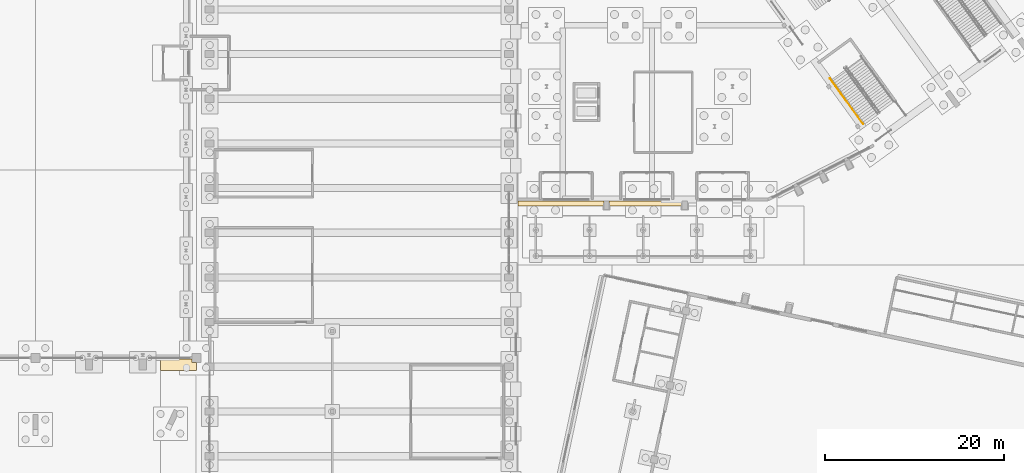
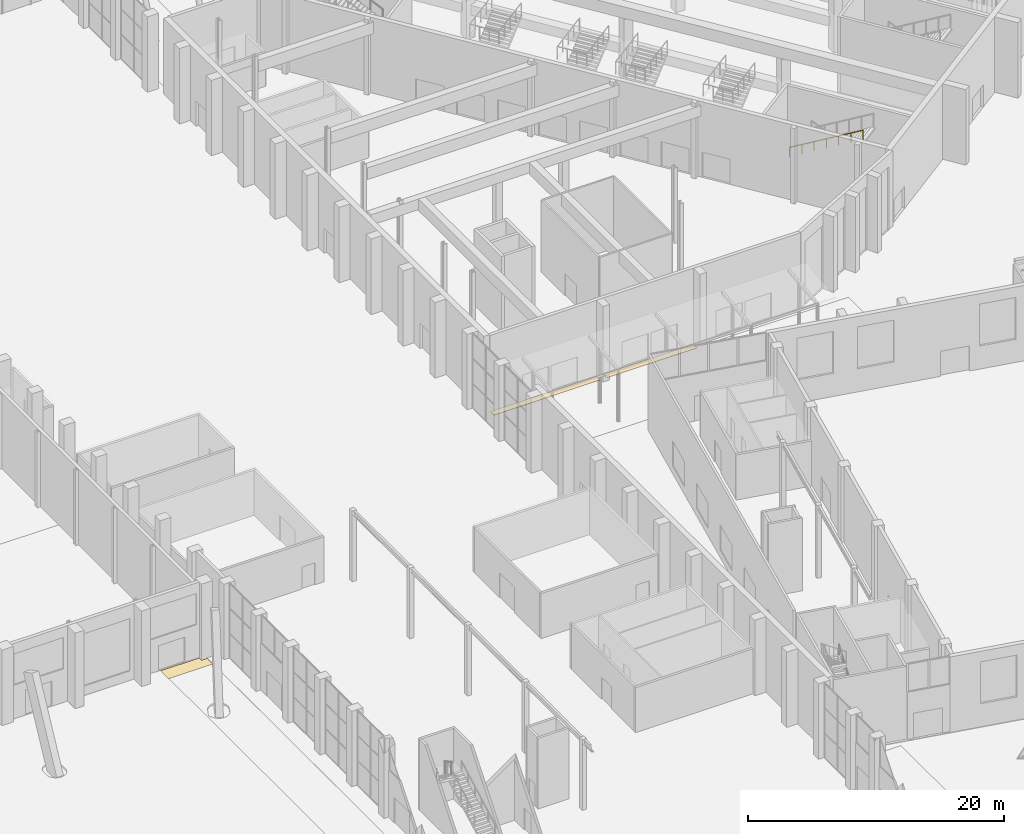
# One storey, part 228 of 239: 3 coverings, 1 railing.
"""IFC4 building model written with IfcOpenShell, lengths in metres."""

from ifc_helpers import new_model, si_unit, direction, frame, origin, origin_2d, place, context, subcontext, project, spatial, polyline, circle, outline, extrude, material, layer, layer_set, type_object, element, save


model = new_model("IFC4")

# Units and contexts
model_context = context("Model", 3, precision=1e-05, world=origin(), true_north=direction((0.0, 1.0)))
body_context = subcontext(model_context, "Body", "Model", "MODEL_VIEW")
ifc_project = project(units=[si_unit("LENGTHUNIT", "METRE"), si_unit("AREAUNIT", "SQUARE_METRE"), si_unit("VOLUMEUNIT", "CUBIC_METRE"), si_unit("PLANEANGLEUNIT", "RADIAN"), si_unit("MASSUNIT", "GRAM", prefix="KILO")], contexts=[model_context])

# Site, building, storey
site_placement = place(None, origin())
site = spatial("IfcSite", under=ifc_project, at=site_placement, CompositionType="ELEMENT")
building_placement = place(site_placement, origin())
building = spatial("IfcBuilding", under=site, at=building_placement, Name="Okhra Congress Centre", CompositionType="ELEMENT")
storey_placement = place(building_placement, origin())
storey = spatial("IfcBuildingStorey", under=building, at=storey_placement, Name="L00", CompositionType="ELEMENT", Elevation=0.0)

# Coverings
ifc_material_1 = material(Name="Compacted engineered fill with topsoil and grass or paving bed")
ifc_layer = layer(ifc_material_1, 0.050048828125)
ifc_layer_set = layer_set([ifc_layer], Name="Site ground surface (engineered fill and landscape)")
covering_type = type_object("IfcCoveringType", Name="Site ground surface (engineered fill and landscape)", PredefinedType="FLOORING", material=ifc_layer_set)
covering_1_placement = place(storey_placement, frame((0.0, 0.0, -0.10009765625)))
element("IfcCovering", 1, at=covering_1_placement, inside=storey, type_object=covering_type, Name="Site ground surface (engineered fill and landscape) 18", PredefinedType="FLOORING", context=body_context, shape_type="SweptSolid", body=[
    extrude(outline(polyline([(150.00048828125, 130.6005859375), (153.99951171875, 130.6005859375), (153.99951171875, 131.49951171875), (153.49951171875, 131.49951171875), (153.49951171875, 131.849365234375), (150.00048828125, 131.849365234375), (150.00048828125, 130.6005859375)])), origin(), (0.0, 0.0, 1.0), 0.050048828125),
])
covering_2_placement = place(storey_placement, frame((0.0, 0.0, -0.10009765625)))
element("IfcCovering", 2, at=covering_2_placement, inside=storey, type_object=covering_type, Name="Site ground surface (engineered fill and landscape) 19", PredefinedType="FLOORING", context=body_context, shape_type="SweptSolid", body=[
    extrude(outline(polyline([(199.599365234375, 149.00048828125), (199.599365234375, 149.579345703125), (190.00048828125, 149.579345703125), (190.00048828125, 149.00048828125), (199.599365234375, 149.00048828125)])), origin(), (0.0, 0.0, 1.0), 0.050048828125),
])
covering_3_placement = place(storey_placement, frame((0.0, 0.0, -0.10009765625)))
element("IfcCovering", 3, at=covering_3_placement, inside=storey, type_object=covering_type, Name="Site ground surface (engineered fill and landscape) 20", PredefinedType="FLOORING", context=body_context, shape_type="SweptSolid", body=[
    extrude(outline(polyline([(208.349365234375, 149.00048828125), (208.349365234375, 149.579345703125), (200.20068359375, 149.579345703125), (200.20068359375, 149.00048828125), (208.349365234375, 149.00048828125)])), origin(), (0.0, 0.0, 1.0), 0.050048828125),
])

# Railing
ifc_material_2 = material(Name="Painted steel tube handrail on wall brackets", Category="steel")
railing_type = type_object("IfcRailingType", Name="Steel handrail 900", PredefinedType="HANDRAIL", material=ifc_material_2)
railing_placement = place(storey_placement, frame((224.928466796875, 163.25390625, 3.763671875)))
element("IfcRailing", 4, at=railing_placement, inside=storey, type_object=railing_type, Name="L00 C1 stair handrail 2", PredefinedType="HANDRAIL", context=body_context, shape_type="SweptSolid", body=[
    extrude(circle(Radius=0.02392578125, at=origin_2d()), frame((0.0, 0.0, 0.8759765625), z_axis=(0.515994015317, -0.710252987259, 0.478843262714), x_axis=(0.809035944427, 0.5877591689, 0.0)), (0.0, 0.0, 1.0), 7.17626953125),
    extrude(circle(Radius=0.02099609375, at=origin_2d()), origin(), (0.0, 0.0, 1.0), 0.851806640625),
    extrude(circle(Radius=0.02099609375, at=origin_2d()), frame((0.6171875, -0.849609375, 0.57275390625)), (0.0, 0.0, 1.0), 0.851806640625),
    extrude(circle(Radius=0.02099609375, at=origin_2d()), frame((1.234375, -1.698974609375, 1.1455078125)), (0.0, 0.0, 1.0), 0.851806640625),
    extrude(circle(Radius=0.02099609375, at=origin_2d()), frame((1.8515625, -2.54833984375, 1.71826171875)), (0.0, 0.0, 1.0), 0.851806640625),
    extrude(circle(Radius=0.02099609375, at=origin_2d()), frame((2.468505859375, -3.39794921875, 2.290771484375)), (0.0, 0.0, 1.0), 0.851806640625),
    extrude(circle(Radius=0.02099609375, at=origin_2d()), frame((3.085693359375, -4.24755859375, 2.863525390625)), (0.0, 0.0, 1.0), 0.851806640625),
    extrude(circle(Radius=0.02099609375, at=origin_2d()), frame((3.702880859375, -5.096923828125, 3.436279296875)), (0.0, 0.0, 1.0), 0.851806640625),
])

save(model, "model.ifc")
